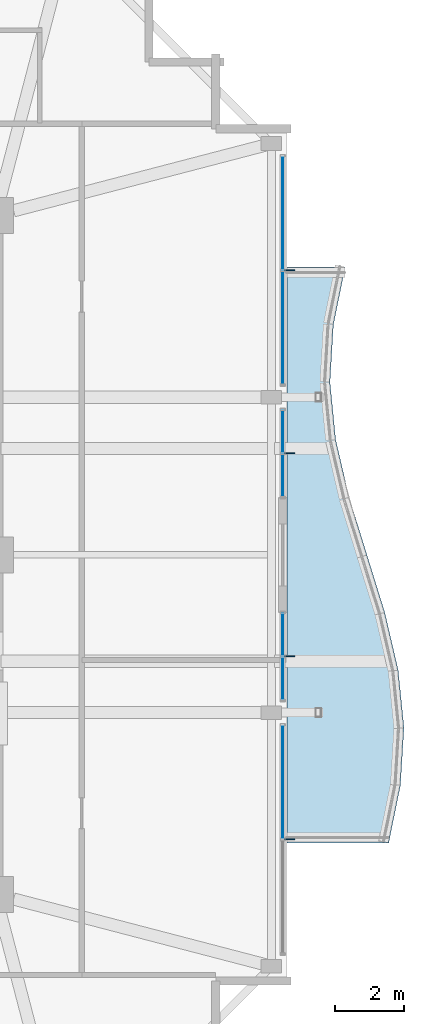
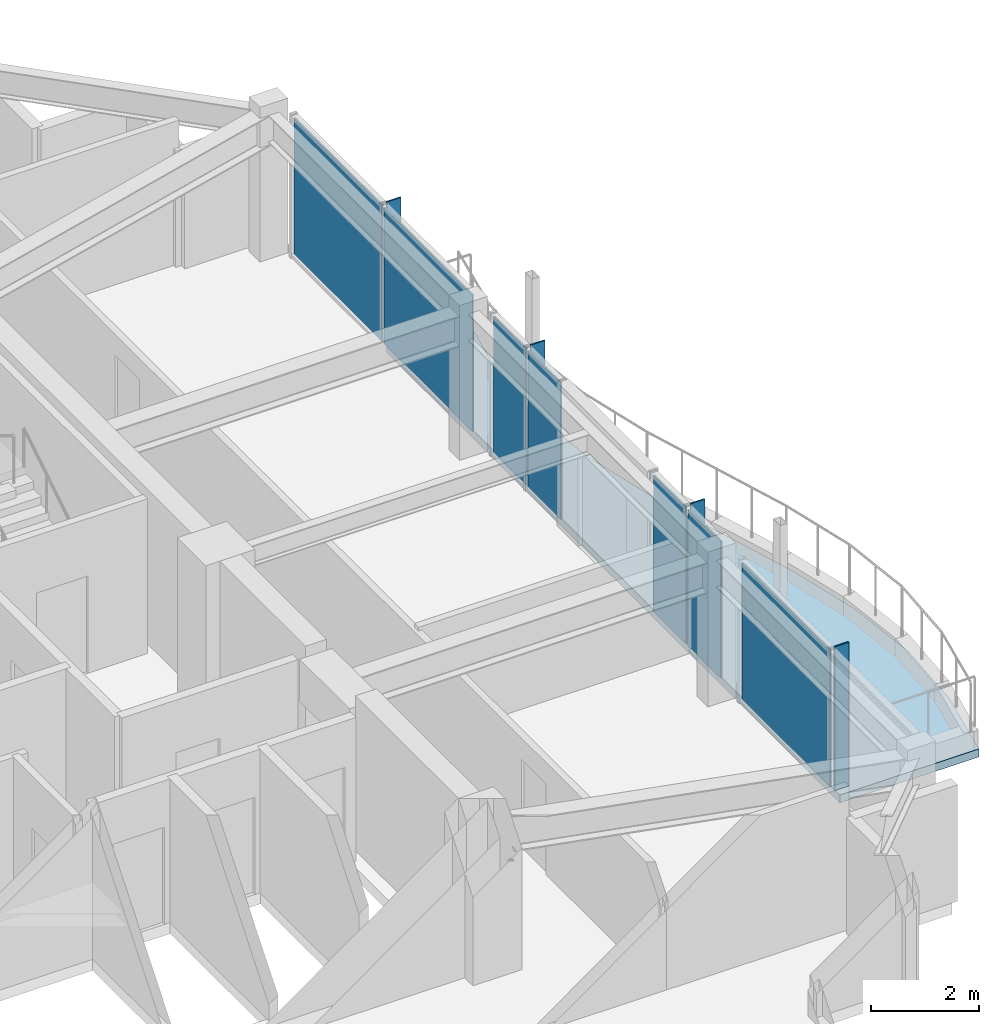
# One storey, part 24 of 31: 11 plates, 1 slab, 4 elements without a shape of their own.
"""IFC4 building model written with IfcOpenShell, lengths in metres."""

from ifc_helpers import new_model, si_unit, direction, frame, origin, origin_2d, place, context, subcontext, project, spatial, polyline, rectangle, outline, extrude, material, layer, layer_set, type_object, element, aggregate, save


model = new_model("IFC4")

# Units and contexts
model_context = context("Model", 3, precision=1e-05, world=origin(), true_north=direction((0.0, 1.0)))
body_context = subcontext(model_context, "Body", "Model", "MODEL_VIEW")
ifc_project = project(units=[si_unit("LENGTHUNIT", "METRE"), si_unit("AREAUNIT", "SQUARE_METRE"), si_unit("VOLUMEUNIT", "CUBIC_METRE"), si_unit("PLANEANGLEUNIT", "RADIAN"), si_unit("MASSUNIT", "GRAM", prefix="KILO")], contexts=[model_context])

# Site, building, storey
site_placement = place(None, origin())
site = spatial("IfcSite", under=ifc_project, at=site_placement, CompositionType="ELEMENT")
building_placement = place(site_placement, origin())
building = spatial("IfcBuilding", under=site, at=building_placement, Name="Kolvaren Belvedere", CompositionType="ELEMENT")
storey_placement = place(building_placement, frame((0.0, 0.0, 251.39990234375)))
storey = spatial("IfcBuildingStorey", under=building, at=storey_placement, Name="L73", CompositionType="ELEMENT", Elevation=251.39990234375)

# Curtain wall, plates
ifc_material_1 = material(Name="Anodised pale-metal aluminium AA 6063-T6", Category="aluminium")
curtain_wall_type = type_object("IfcCurtainWallType", Name="CW-Z5-HIGH", PredefinedType="NOTDEFINED", material=ifc_material_1)
curtain_wall_1_placement = place(storey_placement, origin())
curtain_wall_1 = element("IfcCurtainWall", 1, at=curtain_wall_1_placement, inside=storey, type_object=curtain_wall_type, Name="L73 Unitised Curtain Wall FCW-L73-E1-B1", PredefinedType="NOTDEFINED")
ifc_material_2 = material(Name="Low-iron triple insulated glass", Category="glass")
ifc_layer_1 = layer(ifc_material_2, 0.028076171875)
ifc_layer_set_1 = layer_set([ifc_layer_1], Name="Low-iron triple insulated glass")
plate_type_1 = type_object("IfcPlateType", Name="CW-PNL-VIS28", PredefinedType="CURTAIN_PANEL", material=ifc_layer_set_1)
plate_1_placement = place(storey_placement, frame((18.280029296875, 9.972412109375, 0.080078125), z_axis=(0.0, 0.0, 1.0), x_axis=(0.0, -1.0, 0.0)))
plate_1 = element("IfcPlate", 2, at=plate_1_placement, type_object=plate_type_1, Name="FCW-L73-E1-B1 Vision Glazing Panel 1", PredefinedType="CURTAIN_PANEL", context=body_context, shape_type="SweptSolid", body=[
    extrude(rectangle(XDim=3.264892578125, YDim=0.028076171875, at=origin_2d()), origin(), (0.0, 0.0, 1.0), 3.090087890625),
])
plate_2_placement = place(storey_placement, frame((18.280029296875, 6.62744140625, 0.080078125), z_axis=(0.0, 0.0, 1.0), x_axis=(0.0, -1.0, 0.0)))
plate_2 = element("IfcPlate", 3, at=plate_2_placement, type_object=plate_type_1, Name="FCW-L73-E1-B1 Vision Glazing Panel 2", PredefinedType="CURTAIN_PANEL", context=body_context, shape_type="SweptSolid", body=[
    extrude(rectangle(XDim=3.264892578125, YDim=0.028076171875, at=origin_2d()), origin(), (0.0, 0.0, 1.0), 3.090087890625),
])
aggregate(curtain_wall_1, [plate_1, plate_2])

curtain_wall_2_placement = place(storey_placement, origin())
curtain_wall_2 = element("IfcCurtainWall", 4, at=curtain_wall_2_placement, inside=storey, type_object=curtain_wall_type, Name="L73 Unitised Curtain Wall FCW-L73-E1-B2", PredefinedType="NOTDEFINED")
plate_3_placement = place(storey_placement, frame((18.280029296875, 3.603759765625, 0.080078125), z_axis=(0.0, 0.0, 1.0), x_axis=(0.0, -1.0, 0.0)))
plate_3 = element("IfcPlate", 5, at=plate_3_placement, type_object=plate_type_1, Name="FCW-L73-E1-B2 Vision Glazing Panel 1", PredefinedType="CURTAIN_PANEL", context=body_context, shape_type="SweptSolid", body=[
    extrude(rectangle(XDim=1.202392578125, YDim=0.028076171875, at=origin_2d()), origin(), (0.0, 0.0, 1.0), 3.090087890625),
])
plate_4_placement = place(storey_placement, frame((18.280029296875, 2.3212890625, 0.080078125), z_axis=(0.0, 0.0, 1.0), x_axis=(0.0, -1.0, 0.0)))
plate_4 = element("IfcPlate", 6, at=plate_4_placement, type_object=plate_type_1, Name="FCW-L73-E1-B2 Vision Glazing Panel 2", PredefinedType="CURTAIN_PANEL", context=body_context, shape_type="SweptSolid", body=[
    extrude(rectangle(XDim=1.202392578125, YDim=0.028076171875, at=origin_2d()), origin(), (0.0, 0.0, 1.0), 3.090087890625),
])
aggregate(curtain_wall_2, [plate_3, plate_4])

curtain_wall_3_placement = place(storey_placement, origin())
curtain_wall_3 = element("IfcCurtainWall", 7, at=curtain_wall_3_placement, inside=storey, type_object=curtain_wall_type, Name="L73 Unitised Curtain Wall FCW-L73-E2-B1", PredefinedType="NOTDEFINED")
plate_5_placement = place(storey_placement, frame((18.280029296875, -2.3212890625, 0.080078125), z_axis=(0.0, 0.0, 1.0), x_axis=(0.0, -1.0, 0.0)))
plate_5 = element("IfcPlate", 8, at=plate_5_placement, type_object=plate_type_1, Name="FCW-L73-E2-B1 Vision Glazing Panel 1", PredefinedType="CURTAIN_PANEL", context=body_context, shape_type="SweptSolid", body=[
    extrude(rectangle(XDim=1.202392578125, YDim=0.028076171875, at=origin_2d()), origin(), (0.0, 0.0, 1.0), 3.090087890625),
])
plate_6_placement = place(storey_placement, frame((18.280029296875, -3.603759765625, 0.080078125), z_axis=(0.0, 0.0, 1.0), x_axis=(0.0, -1.0, 0.0)))
plate_6 = element("IfcPlate", 9, at=plate_6_placement, type_object=plate_type_1, Name="FCW-L73-E2-B1 Vision Glazing Panel 2", PredefinedType="CURTAIN_PANEL", context=body_context, shape_type="SweptSolid", body=[
    extrude(rectangle(XDim=1.202392578125, YDim=0.028076171875, at=origin_2d()), origin(), (0.0, 0.0, 1.0), 3.090087890625),
])
aggregate(curtain_wall_3, [plate_5, plate_6])

# Curtain wall, plate
curtain_wall_4_placement = place(storey_placement, origin())
curtain_wall_4 = element("IfcCurtainWall", 10, at=curtain_wall_4_placement, inside=storey, type_object=curtain_wall_type, Name="L73 Unitised Curtain Wall FCW-L73-E2-B2", PredefinedType="NOTDEFINED")
plate_7_placement = place(storey_placement, frame((18.280029296875, -6.62744140625, 0.080078125), z_axis=(0.0, 0.0, 1.0), x_axis=(0.0, -1.0, 0.0)))
plate_7 = element("IfcPlate", 11, at=plate_7_placement, type_object=plate_type_1, Name="FCW-L73-E2-B2 Vision Glazing Panel 1", PredefinedType="CURTAIN_PANEL", context=body_context, shape_type="SweptSolid", body=[
    extrude(rectangle(XDim=3.264892578125, YDim=0.028076171875, at=origin_2d()), origin(), (0.0, 0.0, 1.0), 3.090087890625),
])
aggregate(curtain_wall_4, [plate_7])

# Plates
ifc_material_3 = material(Name="Anodised pale-metal aluminium AA 6063-T6", Category="aluminium")
ifc_layer_2 = layer(ifc_material_3, 0.030029296875)
ifc_layer_set_2 = layer_set([ifc_layer_2], Name="Anodised pale-metal aluminium AA 6063-T6")
plate_type_2 = type_object("IfcPlateType", Name="FIN-VERT-300", PredefinedType="USERDEFINED", material=ifc_layer_set_2)
for number, where, z_axis, x_axis, name in (
    (12, (18.489990234375, 8.300048828125, 0.0), (0.0, 0.0, 1.0), (1.0, 0.0, 0.0), "L73 Pale-Metal Vertical Shading Fin FCW-L73-E1-B1-1"),
    (13, (18.489990234375, 2.96240234375, 0.0), (0.0, 0.0, 1.0), (1.0, 0.0, 0.0), "L73 Pale-Metal Vertical Shading Fin FCW-L73-E1-B2-1"),
    (14, (18.489990234375, -2.96240234375, 0.0), (0.0, 0.0, 1.0), (1.0, 0.0, 0.0), "L73 Pale-Metal Vertical Shading Fin FCW-L73-E2-B1-1"),
    (15, (18.489990234375, -8.300048828125, 0.0), (0.0, 0.0, 1.0), (1.0, 0.0, 0.0), "L73 Pale-Metal Vertical Shading Fin FCW-L73-E2-B2-1"),
):
    element("IfcPlate", number, at=place(storey_placement, frame(where, z_axis=z_axis, x_axis=x_axis)), inside=storey, type_object=plate_type_2, Name=name, ObjectType="VERTICAL FIN", PredefinedType="USERDEFINED", context=body_context, shape_type="SweptSolid", body=[
        extrude(rectangle(XDim=0.300048828125, YDim=0.030029296875, at=origin_2d()), origin(), (0.0, 0.0, 1.0), 3.25),
    ])

# Slab
ifc_material_4 = material(Name="Concrete C50/60", Category="concrete")
ifc_layer_3 = layer(ifc_material_4, 0.179931640625)
ifc_layer_set_3 = layer_set([ifc_layer_3], Name="Concrete C50/60")
slab_type = type_object("IfcSlabType", Name="SL-BAL-180", PredefinedType="FLOOR", material=ifc_layer_set_3)
slab_placement = place(storey_placement, frame((0.0, 0.0, -0.25)))
element("IfcSlab", 16, at=slab_placement, inside=storey, type_object=slab_type, Name="L73 Planted Balcony BAL-E", PredefinedType="FLOOR", context=body_context, shape_type="SweptSolid", body=[
    extrude(outline(polyline([(21.374755859375, -8.39990234375), (21.71728515625, -6.719970703125), (21.820068359375, -5.0400390625), (21.65185546875, -3.360107421875), (21.26025390625, -1.679931640625), (20.739990234375, 0.0), (20.2197265625, 1.679931640625), (19.828125, 3.360107421875), (19.662109375, 5.0400390625), (19.7626953125, 6.719970703125), (20.105224609375, 8.39990234375), (18.39990234375, 8.39990234375), (18.39990234375, 6.719970703125), (18.39990234375, 5.0400390625), (18.39990234375, 3.360107421875), (18.39990234375, 1.679931640625), (18.39990234375, 0.0), (18.39990234375, -1.679931640625), (18.39990234375, -3.360107421875), (18.39990234375, -5.0400390625), (18.39990234375, -6.719970703125), (18.39990234375, -8.39990234375), (21.374755859375, -8.39990234375)])), origin(), (0.0, 0.0, 1.0), 0.18017578125),
])

save(model, "model.ifc")
